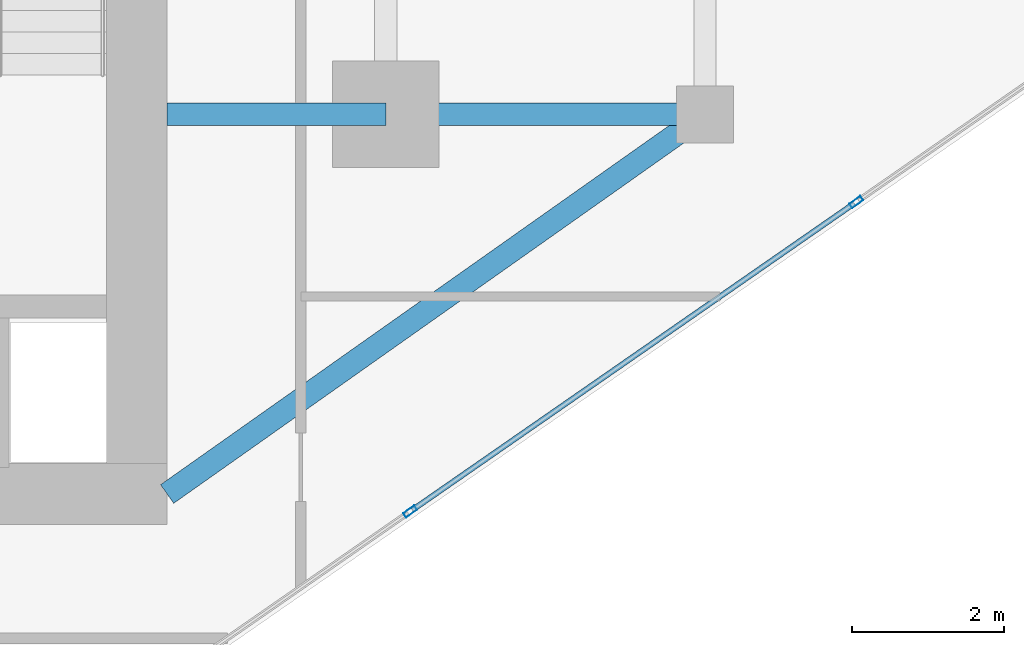
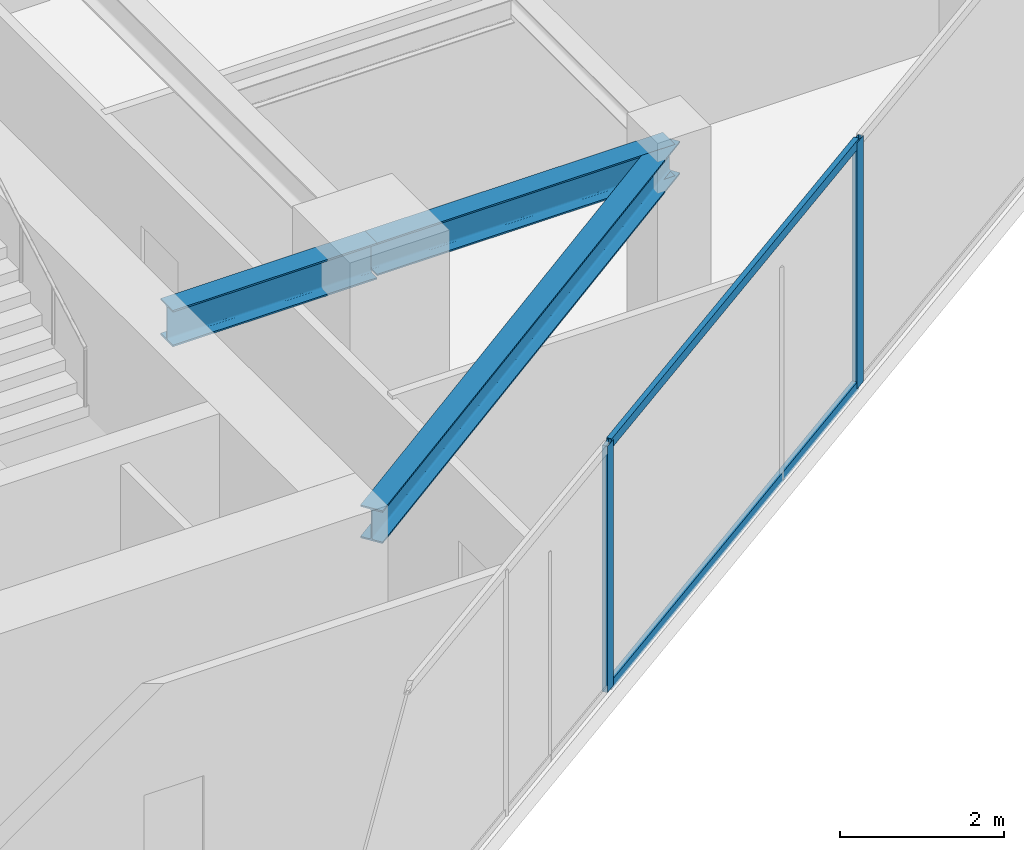
# One storey, part 8 of 21: 4 members, 3 beams, 1 element without a shape of its own.
"""IFC4 building model written with IfcOpenShell, lengths in metres."""

from ifc_helpers import new_model, si_unit, direction, frame, origin, origin_2d, place, context, subcontext, project, spatial, hollow_rectangle, i_section, extrude, source, transform, mapped, material, material_profile, profile_set, type_object, type_shapes, element, aggregate, save


model = new_model("IFC4")

# Units and contexts
model_context = context("Model", 3, precision=1e-05, world=origin(), true_north=direction((0.0, 1.0)))
body_context = subcontext(model_context, "Body", "Model", "MODEL_VIEW")
ifc_project = project(units=[si_unit("LENGTHUNIT", "METRE"), si_unit("AREAUNIT", "SQUARE_METRE"), si_unit("VOLUMEUNIT", "CUBIC_METRE"), si_unit("PLANEANGLEUNIT", "RADIAN"), si_unit("MASSUNIT", "GRAM", prefix="KILO")], contexts=[model_context])

# Site, building, storey
site_placement = place(None, origin())
site = spatial("IfcSite", under=ifc_project, at=site_placement, CompositionType="ELEMENT")
building_placement = place(site_placement, origin())
building = spatial("IfcBuilding", under=site, at=building_placement, Name="Krantzveldt Concourse Tower", CompositionType="ELEMENT")
storey_placement = place(building_placement, frame((0.0, 0.0, 279.25)))
storey = spatial("IfcBuildingStorey", under=building, at=storey_placement, Name="L68", CompositionType="ELEMENT", Elevation=279.25)

# Beams
ifc_material_1 = material(Name="Steel S355JR", Category="steel")
ifc_material_profile_1 = material_profile(ifc_material_1, i_section(OverallWidth=0.300048828125, OverallDepth=0.489990234375, WebThickness=0.011962890625, FlangeThickness=0.02294921875, FilletRadius=0.027099609375, at=origin_2d()), Name="Steel S355JR", Category="steel")
ifc_profile_set_1 = profile_set([ifc_material_profile_1], Name="Steel S355JR - HEA 500")
beam_type_1 = type_object("IfcBeamType", Name="BM-B-HEA500", PredefinedType="BEAM", material=ifc_profile_set_1)
shared_shape_1 = source(origin(), body_context, "Body", "SweptSolid", [
    extrude(i_section(OverallWidth=0.300048828125, OverallDepth=0.489990234375, WebThickness=0.011962890625, FlangeThickness=0.02294921875, FilletRadius=0.027099609375, at=origin_2d()), origin(), (0.0, 0.0, 1.0), 4.199951171875),
])
beam_1_placement = place(storey_placement, frame((46.800048828125, 15.89990234375, 3.425048828125), z_axis=(1.0, 0.0, 0.0), x_axis=(0.0, 1.0, 0.0)))
element("IfcBeam", 1, at=beam_1_placement, inside=storey, type_object=beam_type_1, Name="L68 Tower Girder BR-RR1", PredefinedType="BEAM", context=body_context, shape_type="MappedRepresentation", body=[
    mapped(shared_shape_1, transform((0.0, 0.0, 0.0), x_axis=(1.0, 0.0, 0.0), y_axis=(0.0, 1.0, 0.0), z_axis=(0.0, 0.0, 1.0), scale=1.0)),
])
shared_shape_2 = source(origin(), body_context, "Body", "SweptSolid", [
    extrude(i_section(OverallWidth=0.300048828125, OverallDepth=0.489990234375, WebThickness=0.011962890625, FlangeThickness=0.02294921875, FilletRadius=0.027099609375, at=origin_2d()), origin(), (0.0, 0.0, 1.0), 8.667724609375),
])
type_shapes(beam_type_1, [shared_shape_1, shared_shape_2])
beam_2_placement = place(storey_placement, frame((51.0, 15.89990234375, 3.425048828125), z_axis=(-0.81684294656, -0.576860122261, 0.0), x_axis=(0.576860122261, -0.81684294656, 0.0)))
element("IfcBeam", 2, at=beam_2_placement, inside=storey, type_object=beam_type_1, Name="L68 Tower Girder BR-CSE", PredefinedType="BEAM", context=body_context, shape_type="MappedRepresentation", body=[
    mapped(shared_shape_2, transform((0.0, 0.0, 0.0), x_axis=(1.0, 0.0, 0.0), y_axis=(0.0, 1.0, 0.0), z_axis=(0.0, 0.0, 1.0), scale=1.0)),
])
ifc_material_profile_2 = material_profile(ifc_material_1, i_section(OverallWidth=0.300048828125, OverallDepth=0.5400390625, WebThickness=0.012451171875, FlangeThickness=0.02392578125, FilletRadius=0.027099609375, at=origin_2d()), Name="Steel S355JR", Category="steel")
ifc_profile_set_2 = profile_set([ifc_material_profile_2], Name="Steel S355JR - HEA 550")
beam_type_2 = type_object("IfcBeamType", Name="BM-B-HEA550", PredefinedType="BEAM", material=ifc_profile_set_2)
shared_shape_3 = source(origin(), body_context, "Body", "SweptSolid", [
    extrude(i_section(OverallWidth=0.300048828125, OverallDepth=0.5400390625, WebThickness=0.012451171875, FlangeThickness=0.02392578125, FilletRadius=0.027099609375, at=origin_2d()), origin(), (0.0, 0.0, 1.0), 2.880126953125),
])
type_shapes(beam_type_2, [shared_shape_3])
beam_3_placement = place(storey_placement, frame((43.919921875, 15.89990234375, 3.39990234375), z_axis=(1.0, 0.0, 0.0), x_axis=(0.0, 1.0, 0.0)))
element("IfcBeam", 3, at=beam_3_placement, inside=storey, type_object=beam_type_2, Name="L68 Tower Girder BG-CE1", PredefinedType="BEAM", context=body_context, shape_type="MappedRepresentation", body=[
    mapped(shared_shape_3, transform((0.0, 0.0, 0.0), x_axis=(1.0, 0.0, 0.0), y_axis=(0.0, 1.0, 0.0), z_axis=(0.0, 0.0, 1.0), scale=1.0)),
])

# Curtain wall, members
ifc_material_2 = material(Name="Anodised aluminium 6063-T6", Category="aluminium")
curtain_wall_type = type_object("IfcCurtainWallType", Name="CW4", PredefinedType="USERDEFINED", material=ifc_material_2)
curtain_wall_placement = place(storey_placement, origin())
curtain_wall = element("IfcCurtainWall", 4, at=curtain_wall_placement, inside=storey, type_object=curtain_wall_type, Name="CW-L68-F11", ObjectType="UNITISED CURTAIN WALL", PredefinedType="USERDEFINED")
ifc_material_profile_3 = material_profile(ifc_material_2, hollow_rectangle(XDim=0.070068359375, YDim=0.179931640625, WallThickness=0.0048828125, at=origin_2d()), Name="Anodised aluminium 6063-T6", Category="aluminium")
ifc_profile_set_3 = profile_set([ifc_material_profile_3], Name="Anodised aluminium 6063-T6 - ALU-MULL 180x70x5")
member_type_1 = type_object("IfcMemberType", Name="CW-MUL-180", PredefinedType="MULLION", material=ifc_profile_set_3)
shared_shape_4 = source(origin(), body_context, "Body", "SweptSolid", [
    extrude(hollow_rectangle(XDim=0.070068359375, YDim=0.179931640625, WallThickness=0.0048828125, at=origin_2d()), origin(), (0.0, 0.0, 1.0), 3.669921875),
])
type_shapes(member_type_1, [shared_shape_4])
member_1_placement = place(storey_placement, frame((47.12060546875, 10.669677734375, 0.0), z_axis=(0.0, 0.0, 1.0), x_axis=(-0.569996627395, 0.821647031735, 0.0)))
member_1 = element("IfcMember", 5, at=member_1_placement, type_object=member_type_1, Name="CW-Z56 mullion 3", PredefinedType="MULLION", context=body_context, shape_type="MappedRepresentation", body=[
    mapped(shared_shape_4, transform((0.0, 0.0, 0.0), x_axis=(1.0, 0.0, 0.0), y_axis=(0.0, 1.0, 0.0), z_axis=(0.0, 0.0, 1.0), scale=1.0)),
])
member_2_placement = place(storey_placement, frame((52.995361328125, 14.7451171875, 0.0), z_axis=(0.0, 0.0, 1.0), x_axis=(-0.569996627395, 0.821647031735, 0.0)))
member_2 = element("IfcMember", 6, at=member_2_placement, type_object=member_type_1, Name="CW-Z56 mullion 4", PredefinedType="MULLION", context=body_context, shape_type="MappedRepresentation", body=[
    mapped(shared_shape_4, transform((0.0, 0.0, 0.0), x_axis=(1.0, 0.0, 0.0), y_axis=(0.0, 1.0, 0.0), z_axis=(0.0, 0.0, 1.0), scale=1.0)),
])
ifc_material_profile_4 = material_profile(ifc_material_2, hollow_rectangle(XDim=0.070068359375, YDim=0.139892578125, WallThickness=0.0048828125, at=origin_2d()), Name="Anodised aluminium 6063-T6", Category="aluminium")
ifc_profile_set_4 = profile_set([ifc_material_profile_4], Name="Anodised aluminium 6063-T6 - ALU-TRAN 140x70x5")
member_type_2 = type_object("IfcMemberType", Name="CW-TRN-150", PredefinedType="USERDEFINED", material=ifc_profile_set_4)
shared_shape_5 = source(origin(), body_context, "Body", "SweptSolid", [
    extrude(hollow_rectangle(XDim=0.070068359375, YDim=0.139892578125, WallThickness=0.0048828125, at=origin_2d()), origin(), (0.0, 0.0, 1.0), 7.079833984375),
])
type_shapes(member_type_2, [shared_shape_5])
member_3_placement = place(storey_placement, frame((47.1494140625, 10.689697265625, 0.034912109375), z_axis=(0.821653043491, 0.569987961383, 0.0), x_axis=(-0.569987961383, 0.821653043491, 0.0)))
member_3 = element("IfcMember", 7, at=member_3_placement, type_object=member_type_2, Name="CW-Z56 transom 3.1", ObjectType="TRANSOM", PredefinedType="USERDEFINED", context=body_context, shape_type="MappedRepresentation", body=[
    mapped(shared_shape_5, transform((0.0, 0.0, 0.0), x_axis=(1.0, 0.0, 0.0), y_axis=(0.0, 1.0, 0.0), z_axis=(0.0, 0.0, 1.0), scale=1.0)),
])
member_4_placement = place(storey_placement, frame((47.1494140625, 10.689697265625, 3.635009765625), z_axis=(0.821653043491, 0.569987961383, 0.0), x_axis=(-0.569987961383, 0.821653043491, 0.0)))
member_4 = element("IfcMember", 8, at=member_4_placement, type_object=member_type_2, Name="CW-Z56 transom 3.2", ObjectType="TRANSOM", PredefinedType="USERDEFINED", context=body_context, shape_type="MappedRepresentation", body=[
    mapped(shared_shape_5, transform((0.0, 0.0, 0.0), x_axis=(1.0, 0.0, 0.0), y_axis=(0.0, 1.0, 0.0), z_axis=(0.0, 0.0, 1.0), scale=1.0)),
])
aggregate(curtain_wall, [member_1, member_2, member_3, member_4])

save(model, "model.ifc")
